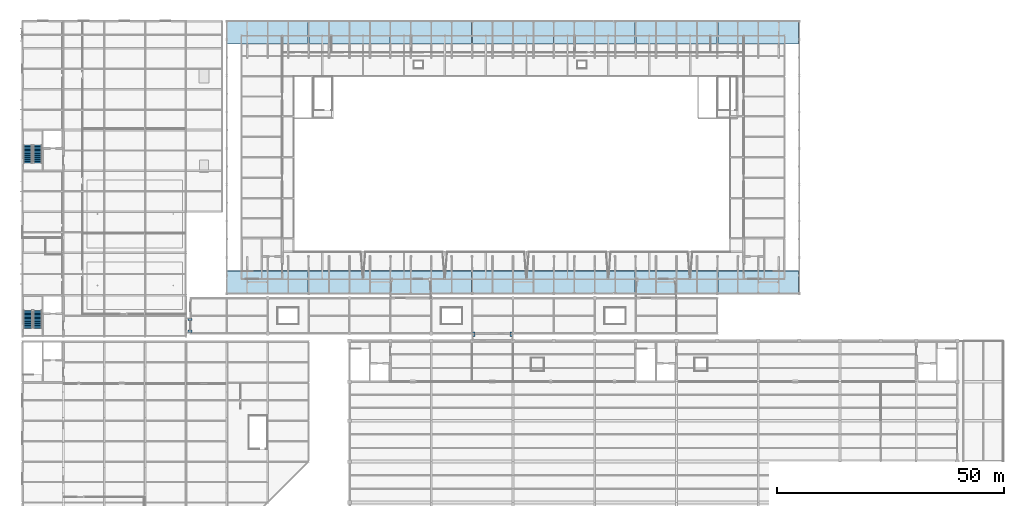
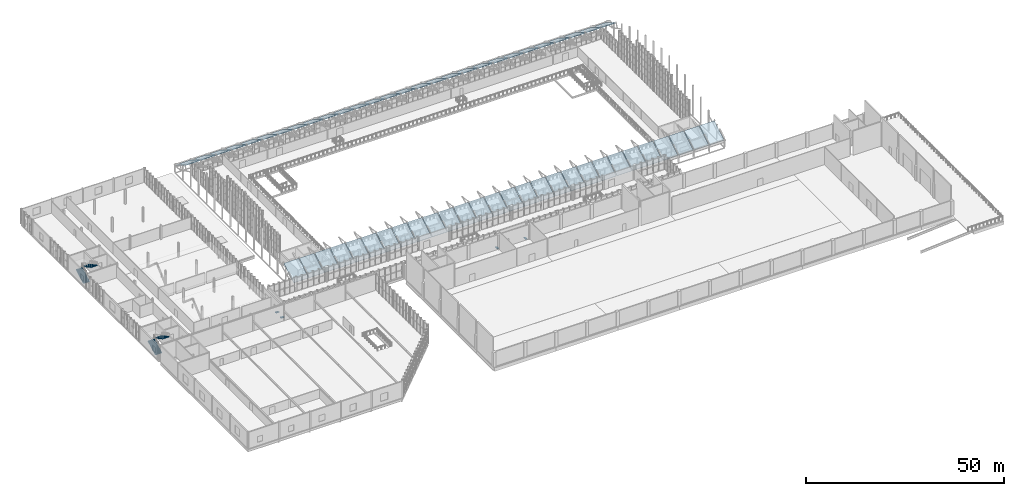
# One storey, part 118 of 134: 56 roofs, 4 discrete accessories, 4 stair flights, 2 elements without a shape of their own.
"""IFC4 building model written with IfcOpenShell, lengths in metres."""

from ifc_helpers import new_model, si_unit, direction, frame, origin, origin_2d, place, context, subcontext, project, spatial, polyline, rectangle, outline, extrude, material, type_object, element, aggregate, save


model = new_model("IFC4")

# Units and contexts
model_context = context("Model", 3, precision=1e-05, world=origin(), true_north=direction((0.0, 1.0)))
body_context = subcontext(model_context, "Body", "Model", "MODEL_VIEW")
ifc_project = project(units=[si_unit("LENGTHUNIT", "METRE"), si_unit("AREAUNIT", "SQUARE_METRE"), si_unit("VOLUMEUNIT", "CUBIC_METRE"), si_unit("PLANEANGLEUNIT", "RADIAN"), si_unit("MASSUNIT", "GRAM", prefix="KILO")], contexts=[model_context])

# Site, building, storey
site_placement = place(None, origin())
site = spatial("IfcSite", under=ifc_project, at=site_placement, CompositionType="ELEMENT")
building_placement = place(site_placement, origin())
building = spatial("IfcBuilding", under=site, at=building_placement, Name="Cazmaro Siding Exhibition Halls", CompositionType="ELEMENT")
storey_placement = place(building_placement, frame((0.0, 0.0, 12.0)))
storey = spatial("IfcBuildingStorey", under=building, at=storey_placement, Name="L02", CompositionType="ELEMENT", Elevation=12.0)

# Stair, stair flights
ifc_material_1 = material(Name="Concrete f'c 40 MPa", Category="concrete")
stair_type_1 = type_object("IfcStairType", Name="STT-15", PredefinedType="TWO_STRAIGHT_RUN_STAIR", material=ifc_material_1)
stair_1_placement = place(storey_placement, origin())
stair_1 = element("IfcStair", 1, at=stair_1_placement, inside=storey, type_object=stair_type_1, Name="Core C7 Exit Stair L02-L03 ST-15", PredefinedType="TWO_STRAIGHT_RUN_STAIR")
ifc_material_2 = material(Name="Concrete f'c 40 MPa", Category="concrete")
stair_flight_type_1 = type_object("IfcStairFlightType", Name="STF-15", PredefinedType="STRAIGHT", material=ifc_material_2)
stair_flight_1_placement = place(storey_placement, frame((1.205078125, 56.360107421875, 0.0), z_axis=(0.0, 0.0, 1.0), x_axis=(0.0, 1.0, 0.0)))
stair_flight_1 = element("IfcStairFlight", 2, at=stair_flight_1_placement, type_object=stair_flight_type_1, Name="ST-15 flight 1", NumberOfRisers=14, NumberOfTreads=13, PredefinedType="STRAIGHT", RiserHeight=0.16071, TreadLength=0.3, context=body_context, shape_type="SweptSolid", body=[
    extrude(outline(polyline([(0.0, 0.0), (0.0, 0.16064453125), (0.300048828125, 0.16064453125), (0.300048828125, 0.321533203125), (0.60009765625, 0.321533203125), (0.60009765625, 0.482177734375), (0.89990234375, 0.482177734375), (0.89990234375, 0.642822265625), (1.199951171875, 0.642822265625), (1.199951171875, 0.803466796875), (1.5, 0.803466796875), (1.5, 0.96435546875), (1.800048828125, 0.96435546875), (1.800048828125, 1.125), (2.10009765625, 1.125), (2.10009765625, 1.28564453125), (2.39990234375, 1.28564453125), (2.39990234375, 1.4462890625), (2.699951171875, 1.4462890625), (2.699951171875, 1.607177734375), (3.0, 1.607177734375), (3.0, 1.767822265625), (3.300048828125, 1.767822265625), (3.300048828125, 1.928466796875), (3.60009765625, 1.928466796875), (3.60009765625, 2.089111328125), (3.89990234375, 2.089111328125), (3.89990234375, 2.25), (3.89990234375, 1.90771484375), (0.338623046875, 0.0), (0.0, 0.0)])), frame((0.0, 0.97998046875, 0.0), z_axis=(0.0, -1.0, 0.0), x_axis=(1.0, 0.0, 0.0)), (0.0, 0.0, 1.0), 1.9599609375),
])
stair_flight_2_placement = place(storey_placement, frame((3.35009765625, 60.260009765625, 2.25), z_axis=(0.0, 0.0, 1.0), x_axis=(0.0, -1.0, 0.0)))
stair_flight_2 = element("IfcStairFlight", 3, at=stair_flight_2_placement, type_object=stair_flight_type_1, Name="ST-15 flight 2", NumberOfRisers=14, NumberOfTreads=13, PredefinedType="STRAIGHT", RiserHeight=0.16071, TreadLength=0.3, context=body_context, shape_type="SweptSolid", body=[
    extrude(outline(polyline([(0.0, 0.0), (0.0, 0.16064453125), (0.300048828125, 0.16064453125), (0.300048828125, 0.321533203125), (0.60009765625, 0.321533203125), (0.60009765625, 0.482177734375), (0.89990234375, 0.482177734375), (0.89990234375, 0.642822265625), (1.199951171875, 0.642822265625), (1.199951171875, 0.803466796875), (1.5, 0.803466796875), (1.5, 0.96435546875), (1.800048828125, 0.96435546875), (1.800048828125, 1.125), (2.10009765625, 1.125), (2.10009765625, 1.28564453125), (2.39990234375, 1.28564453125), (2.39990234375, 1.4462890625), (2.699951171875, 1.4462890625), (2.699951171875, 1.607177734375), (3.0, 1.607177734375), (3.0, 1.767822265625), (3.300048828125, 1.767822265625), (3.300048828125, 1.928466796875), (3.60009765625, 1.928466796875), (3.60009765625, 2.089111328125), (3.89990234375, 2.089111328125), (3.89990234375, 2.25), (3.89990234375, 1.90771484375), (0.338623046875, 0.0), (0.0, 0.0)])), frame((0.0, 0.97998046875, 0.0), z_axis=(0.0, -1.0, 0.0), x_axis=(1.0, 0.0, 0.0)), (0.0, 0.0, 1.0), 1.9599609375),
])
aggregate(stair_1, [stair_flight_1, stair_flight_2])

ifc_material_3 = material(Name="Concrete f'c 40 MPa", Category="concrete")
stair_type_2 = type_object("IfcStairType", Name="STT-20", PredefinedType="TWO_STRAIGHT_RUN_STAIR", material=ifc_material_3)
stair_2_placement = place(storey_placement, origin())
stair_2 = element("IfcStair", 4, at=stair_2_placement, inside=storey, type_object=stair_type_2, Name="Core C8 Exit Stair L02-L03 ST-20", PredefinedType="TWO_STRAIGHT_RUN_STAIR")
ifc_material_4 = material(Name="Concrete f'c 40 MPa", Category="concrete")
stair_flight_type_2 = type_object("IfcStairFlightType", Name="STF-20", PredefinedType="STRAIGHT", material=ifc_material_4)
stair_flight_3_placement = place(storey_placement, frame((1.169921875, 92.760009765625, 0.0), z_axis=(0.0, 0.0, 1.0), x_axis=(0.0, 1.0, 0.0)))
stair_flight_3 = element("IfcStairFlight", 5, at=stair_flight_3_placement, type_object=stair_flight_type_2, Name="ST-20 flight 1", NumberOfRisers=14, NumberOfTreads=13, PredefinedType="STRAIGHT", RiserHeight=0.16071, TreadLength=0.3, context=body_context, shape_type="SweptSolid", body=[
    extrude(outline(polyline([(0.0, 0.0), (0.0, 0.16064453125), (0.300048828125, 0.16064453125), (0.300048828125, 0.321533203125), (0.60009765625, 0.321533203125), (0.60009765625, 0.482177734375), (0.89990234375, 0.482177734375), (0.89990234375, 0.642822265625), (1.199951171875, 0.642822265625), (1.199951171875, 0.803466796875), (1.5, 0.803466796875), (1.5, 0.96435546875), (1.800048828125, 0.96435546875), (1.800048828125, 1.125), (2.10009765625, 1.125), (2.10009765625, 1.28564453125), (2.39990234375, 1.28564453125), (2.39990234375, 1.4462890625), (2.699951171875, 1.4462890625), (2.699951171875, 1.607177734375), (3.0, 1.607177734375), (3.0, 1.767822265625), (3.300048828125, 1.767822265625), (3.300048828125, 1.928466796875), (3.60009765625, 1.928466796875), (3.60009765625, 2.089111328125), (3.89990234375, 2.089111328125), (3.89990234375, 2.25), (3.89990234375, 1.90771484375), (0.338623046875, 0.0), (0.0, 0.0)])), frame((0.0, 0.94482421875, 0.0), z_axis=(0.0, -1.0, 0.0), x_axis=(1.0, 0.0, 0.0)), (0.0, 0.0, 1.0), 1.889892578125),
])
stair_flight_4_placement = place(storey_placement, frame((3.385009765625, 96.659912109375, 2.25), z_axis=(0.0, 0.0, 1.0), x_axis=(0.0, -1.0, 0.0)))
stair_flight_4 = element("IfcStairFlight", 6, at=stair_flight_4_placement, type_object=stair_flight_type_2, Name="ST-20 flight 2", NumberOfRisers=14, NumberOfTreads=13, PredefinedType="STRAIGHT", RiserHeight=0.16071, TreadLength=0.3, context=body_context, shape_type="SweptSolid", body=[
    extrude(outline(polyline([(0.0, 0.0), (0.0, 0.16064453125), (0.300048828125, 0.16064453125), (0.300048828125, 0.321533203125), (0.60009765625, 0.321533203125), (0.60009765625, 0.482177734375), (0.89990234375, 0.482177734375), (0.89990234375, 0.642822265625), (1.199951171875, 0.642822265625), (1.199951171875, 0.803466796875), (1.5, 0.803466796875), (1.5, 0.96435546875), (1.800048828125, 0.96435546875), (1.800048828125, 1.125), (2.10009765625, 1.125), (2.10009765625, 1.28564453125), (2.39990234375, 1.28564453125), (2.39990234375, 1.4462890625), (2.699951171875, 1.4462890625), (2.699951171875, 1.607177734375), (3.0, 1.607177734375), (3.0, 1.767822265625), (3.300048828125, 1.767822265625), (3.300048828125, 1.928466796875), (3.60009765625, 1.928466796875), (3.60009765625, 2.089111328125), (3.89990234375, 2.089111328125), (3.89990234375, 2.25), (3.89990234375, 1.90771484375), (0.338623046875, 0.0), (0.0, 0.0)])), frame((0.0, 0.94482421875, 0.0), z_axis=(0.0, -1.0, 0.0), x_axis=(1.0, 0.0, 0.0)), (0.0, 0.0, 1.0), 1.889892578125),
])
aggregate(stair_2, [stair_flight_3, stair_flight_4])

# Roofs
ifc_material_5 = material(Name="Standing Seam Zinc Insulated Roof Assembly", Category="steel")
roof_type = type_object("IfcRoofType", Name="RF-BARREL-01", PredefinedType="BARREL_ROOF", material=ifc_material_5)
for number, where, z_axis, x_axis, name in (
    (7, (45.0849609375, 64.0, 2.06005859375), (0.0, -0.514618885899, 0.857419035406), (1.0, 0.0, 0.0), "Primary Hall Standing Seam Zinc Roof Cassette RF-V1 001"),
    (8, (45.0849609375, 119.0, 5.06103515625), (0.0, 0.514618885899, 0.857419035406), (1.0, 0.0, 0.0), "Primary Hall Standing Seam Zinc Roof Cassette RF-V1 012"),
    (9, (49.5849609375, 64.0, 2.06005859375), (0.0, -0.514618885899, 0.857419035406), (1.0, 0.0, 0.0), "Primary Hall Standing Seam Zinc Roof Cassette RF-V1 013"),
    (10, (49.5849609375, 119.0, 5.06103515625), (0.0, 0.514618885899, 0.857419035406), (1.0, 0.0, 0.0), "Primary Hall Standing Seam Zinc Roof Cassette RF-V1 024"),
    (11, (54.0849609375, 64.0, 2.06005859375), (0.0, -0.514618885899, 0.857419035406), (1.0, 0.0, 0.0), "Primary Hall Standing Seam Zinc Roof Cassette RF-V1 025"),
    (12, (54.0849609375, 119.0, 5.06103515625), (0.0, 0.514618885899, 0.857419035406), (1.0, 0.0, 0.0), "Primary Hall Standing Seam Zinc Roof Cassette RF-V1 036"),
    (13, (58.5849609375, 64.0, 2.06005859375), (0.0, -0.514618885899, 0.857419035406), (1.0, 0.0, 0.0), "Primary Hall Standing Seam Zinc Roof Cassette RF-V1 037"),
    (14, (58.5849609375, 119.0, 5.06103515625), (0.0, 0.514618885899, 0.857419035406), (1.0, 0.0, 0.0), "Primary Hall Standing Seam Zinc Roof Cassette RF-V1 048"),
    (15, (63.0849609375, 64.0, 2.06005859375), (0.0, -0.514618885899, 0.857419035406), (1.0, 0.0, 0.0), "Primary Hall Standing Seam Zinc Roof Cassette RF-V1 049"),
    (16, (63.0849609375, 119.0, 5.06103515625), (0.0, 0.514618885899, 0.857419035406), (1.0, 0.0, 0.0), "Primary Hall Standing Seam Zinc Roof Cassette RF-V1 060"),
    (17, (67.5849609375, 64.0, 2.06005859375), (0.0, -0.514618885899, 0.857419035406), (1.0, 0.0, 0.0), "Primary Hall Standing Seam Zinc Roof Cassette RF-V1 061"),
    (18, (67.5849609375, 119.0, 5.06103515625), (0.0, 0.514618885899, 0.857419035406), (1.0, 0.0, 0.0), "Primary Hall Standing Seam Zinc Roof Cassette RF-V1 072"),
    (19, (72.0849609375, 64.0, 2.06005859375), (0.0, -0.514618885899, 0.857419035406), (1.0, 0.0, 0.0), "Primary Hall Standing Seam Zinc Roof Cassette RF-V1 073"),
    (20, (72.0849609375, 119.0, 5.06103515625), (0.0, 0.514618885899, 0.857419035406), (1.0, 0.0, 0.0), "Primary Hall Standing Seam Zinc Roof Cassette RF-V1 084"),
    (21, (76.5849609375, 64.0, 2.06005859375), (0.0, -0.514618885899, 0.857419035406), (1.0, 0.0, 0.0), "Primary Hall Standing Seam Zinc Roof Cassette RF-V1 085"),
    (22, (76.5849609375, 119.0, 5.06103515625), (0.0, 0.514618885899, 0.857419035406), (1.0, 0.0, 0.0), "Primary Hall Standing Seam Zinc Roof Cassette RF-V1 096"),
    (23, (81.0849609375, 64.0, 2.06005859375), (0.0, -0.514618885899, 0.857419035406), (1.0, 0.0, 0.0), "Primary Hall Standing Seam Zinc Roof Cassette RF-V1 097"),
    (24, (81.0849609375, 119.0, 5.06103515625), (0.0, 0.514618885899, 0.857419035406), (1.0, 0.0, 0.0), "Primary Hall Standing Seam Zinc Roof Cassette RF-V1 108"),
    (25, (85.5849609375, 64.0, 2.06005859375), (0.0, -0.514618885899, 0.857419035406), (1.0, 0.0, 0.0), "Primary Hall Standing Seam Zinc Roof Cassette RF-V1 109"),
    (26, (85.5849609375, 119.0, 5.06103515625), (0.0, 0.514618885899, 0.857419035406), (1.0, 0.0, 0.0), "Primary Hall Standing Seam Zinc Roof Cassette RF-V1 120"),
    (27, (90.0849609375, 64.0, 2.06005859375), (0.0, -0.514618885899, 0.857419035406), (1.0, 0.0, 0.0), "Primary Hall Standing Seam Zinc Roof Cassette RF-V1 121"),
    (28, (90.0849609375, 119.0, 5.06103515625), (0.0, 0.514618885899, 0.857419035406), (1.0, 0.0, 0.0), "Primary Hall Standing Seam Zinc Roof Cassette RF-V1 132"),
    (29, (94.5849609375, 64.0, 2.06005859375), (0.0, -0.514618885899, 0.857419035406), (1.0, 0.0, 0.0), "Primary Hall Standing Seam Zinc Roof Cassette RF-V1 133"),
    (30, (94.5849609375, 119.0, 5.06103515625), (0.0, 0.514618885899, 0.857419035406), (1.0, 0.0, 0.0), "Primary Hall Standing Seam Zinc Roof Cassette RF-V1 144"),
    (31, (99.0849609375, 64.0, 2.06005859375), (0.0, -0.514618885899, 0.857419035406), (1.0, 0.0, 0.0), "Primary Hall Standing Seam Zinc Roof Cassette RF-V1 145"),
    (32, (99.0849609375, 119.0, 5.06103515625), (0.0, 0.514618885899, 0.857419035406), (1.0, 0.0, 0.0), "Primary Hall Standing Seam Zinc Roof Cassette RF-V1 156"),
    (33, (103.5849609375, 64.0, 2.06005859375), (0.0, -0.514618885899, 0.857419035406), (1.0, 0.0, 0.0), "Primary Hall Standing Seam Zinc Roof Cassette RF-V1 157"),
    (34, (103.5849609375, 119.0, 5.06103515625), (0.0, 0.514618885899, 0.857419035406), (1.0, 0.0, 0.0), "Primary Hall Standing Seam Zinc Roof Cassette RF-V1 168"),
    (35, (108.0849609375, 64.0, 2.06005859375), (0.0, -0.514618885899, 0.857419035406), (1.0, 0.0, 0.0), "Primary Hall Standing Seam Zinc Roof Cassette RF-V1 169"),
    (36, (108.0849609375, 119.0, 5.06103515625), (0.0, 0.514618885899, 0.857419035406), (1.0, 0.0, 0.0), "Primary Hall Standing Seam Zinc Roof Cassette RF-V1 180"),
    (37, (112.5849609375, 64.0, 2.06005859375), (0.0, -0.514618885899, 0.857419035406), (1.0, 0.0, 0.0), "Primary Hall Standing Seam Zinc Roof Cassette RF-V1 181"),
    (38, (112.5849609375, 119.0, 5.06103515625), (0.0, 0.514618885899, 0.857419035406), (1.0, 0.0, 0.0), "Primary Hall Standing Seam Zinc Roof Cassette RF-V1 192"),
    (39, (117.0849609375, 64.0, 2.06005859375), (0.0, -0.514618885899, 0.857419035406), (1.0, 0.0, 0.0), "Primary Hall Standing Seam Zinc Roof Cassette RF-V1 193"),
    (40, (117.0849609375, 119.0, 5.06103515625), (0.0, 0.514618885899, 0.857419035406), (1.0, 0.0, 0.0), "Primary Hall Standing Seam Zinc Roof Cassette RF-V1 204"),
    (41, (121.5849609375, 64.0, 2.06005859375), (0.0, -0.514618885899, 0.857419035406), (1.0, 0.0, 0.0), "Primary Hall Standing Seam Zinc Roof Cassette RF-V1 205"),
    (42, (121.5849609375, 119.0, 5.06103515625), (0.0, 0.514618885899, 0.857419035406), (1.0, 0.0, 0.0), "Primary Hall Standing Seam Zinc Roof Cassette RF-V1 216"),
    (43, (126.0849609375, 64.0, 2.06005859375), (0.0, -0.514618885899, 0.857419035406), (1.0, 0.0, 0.0), "Primary Hall Standing Seam Zinc Roof Cassette RF-V1 217"),
    (44, (126.0849609375, 119.0, 5.06103515625), (0.0, 0.514618885899, 0.857419035406), (1.0, 0.0, 0.0), "Primary Hall Standing Seam Zinc Roof Cassette RF-V1 228"),
    (45, (130.5849609375, 64.0, 2.06005859375), (0.0, -0.514618885899, 0.857419035406), (1.0, 0.0, 0.0), "Primary Hall Standing Seam Zinc Roof Cassette RF-V1 229"),
    (46, (130.5849609375, 119.0, 5.06103515625), (0.0, 0.514618885899, 0.857419035406), (1.0, 0.0, 0.0), "Primary Hall Standing Seam Zinc Roof Cassette RF-V1 240"),
    (47, (135.0849609375, 64.0, 2.06005859375), (0.0, -0.514618885899, 0.857419035406), (1.0, 0.0, 0.0), "Primary Hall Standing Seam Zinc Roof Cassette RF-V1 241"),
    (48, (135.0849609375, 119.0, 5.06103515625), (0.0, 0.514618885899, 0.857419035406), (1.0, 0.0, 0.0), "Primary Hall Standing Seam Zinc Roof Cassette RF-V1 252"),
    (49, (139.5849609375, 64.0, 2.06005859375), (0.0, -0.514618885899, 0.857419035406), (1.0, 0.0, 0.0), "Primary Hall Standing Seam Zinc Roof Cassette RF-V1 253"),
    (50, (139.5849609375, 119.0, 5.06103515625), (0.0, 0.514618885899, 0.857419035406), (1.0, 0.0, 0.0), "Primary Hall Standing Seam Zinc Roof Cassette RF-V1 264"),
    (51, (144.0849609375, 64.0, 2.06005859375), (0.0, -0.514618885899, 0.857419035406), (1.0, 0.0, 0.0), "Primary Hall Standing Seam Zinc Roof Cassette RF-V1 265"),
    (52, (144.0849609375, 119.0, 5.06103515625), (0.0, 0.514618885899, 0.857419035406), (1.0, 0.0, 0.0), "Primary Hall Standing Seam Zinc Roof Cassette RF-V1 276"),
    (53, (148.5849609375, 64.0, 2.06005859375), (0.0, -0.514618885899, 0.857419035406), (1.0, 0.0, 0.0), "Primary Hall Standing Seam Zinc Roof Cassette RF-V1 277"),
    (54, (148.5849609375, 119.0, 5.06103515625), (0.0, 0.514618885899, 0.857419035406), (1.0, 0.0, 0.0), "Primary Hall Standing Seam Zinc Roof Cassette RF-V1 288"),
    (55, (153.0849609375, 64.0, 2.06005859375), (0.0, -0.514618885899, 0.857419035406), (1.0, 0.0, 0.0), "Primary Hall Standing Seam Zinc Roof Cassette RF-V1 289"),
    (56, (153.0849609375, 119.0, 5.06103515625), (0.0, 0.514618885899, 0.857419035406), (1.0, 0.0, 0.0), "Primary Hall Standing Seam Zinc Roof Cassette RF-V1 300"),
    (57, (157.5849609375, 64.0, 2.06005859375), (0.0, -0.514618885899, 0.857419035406), (1.0, 0.0, 0.0), "Primary Hall Standing Seam Zinc Roof Cassette RF-V1 301"),
    (58, (157.5849609375, 119.0, 5.06103515625), (0.0, 0.514618885899, 0.857419035406), (1.0, 0.0, 0.0), "Primary Hall Standing Seam Zinc Roof Cassette RF-V1 312"),
    (59, (162.0849609375, 64.0, 2.06005859375), (0.0, -0.514618885899, 0.857419035406), (1.0, 0.0, 0.0), "Primary Hall Standing Seam Zinc Roof Cassette RF-V1 313"),
    (60, (162.0849609375, 119.0, 5.06103515625), (0.0, 0.514618885899, 0.857419035406), (1.0, 0.0, 0.0), "Primary Hall Standing Seam Zinc Roof Cassette RF-V1 324"),
    (61, (166.5849609375, 64.0, 2.06005859375), (0.0, -0.514618885899, 0.857419035406), (1.0, 0.0, 0.0), "Primary Hall Standing Seam Zinc Roof Cassette RF-V1 325"),
    (62, (166.5849609375, 119.0, 5.06103515625), (0.0, 0.514618885899, 0.857419035406), (1.0, 0.0, 0.0), "Primary Hall Standing Seam Zinc Roof Cassette RF-V1 336"),
):
    element("IfcRoof", number, at=place(storey_placement, frame(where, z_axis=z_axis, x_axis=x_axis)), inside=storey, type_object=roof_type, Name=name, PredefinedType="BARREL_ROOF", context=body_context, shape_type="SweptSolid", body=[
        extrude(outline(polyline([(0.0, 0.0), (4.330078125, 0.0), (4.330078125, 5.83145439223135), (0.0, 5.83145439223135), (0.0, 0.0)])), origin(), (0.0, 0.0, -1.0), 0.159912109375),
    ])

# Discrete accessories
ifc_material_6 = material(Name="Steel ASTM A572 Grade 50", Category="steel")
discrete_accessory_type = type_object("IfcDiscreteAccessoryType", Name="SBK-SEAT-01", PredefinedType="BRACKET", material=ifc_material_6)
for number, where, z_axis, x_axis, name in (
    (63, (99.35009765625, 55.050048828125, -0.7509765625), (0.0, 0.0, 1.0), (1.0, 0.0, 0.0), "Bridge Sliding Seat Corbel 900mm SB-03 L02"),
    (64, (107.64990234375, 55.050048828125, -0.7509765625), (0.0, 0.0, 1.0), (1.0, 0.0, 0.0), "Bridge Sliding Seat Corbel 900mm SB-03 L02"),
):
    element("IfcDiscreteAccessory", number, at=place(storey_placement, frame(where, z_axis=z_axis, x_axis=x_axis)), inside=storey, type_object=discrete_accessory_type, Name=name, PredefinedType="BRACKET", context=body_context, shape_type="SweptSolid", body=[
        extrude(rectangle(XDim=0.52001953125, YDim=0.89990234375, at=origin_2d()), origin(), (0.0, 0.0, 1.0), 0.179931640625),
    ])
for number, where, z_axis, x_axis, name in (
    (65, (36.89990234375, 55.699951171875, -0.7509765625), (0.0, 0.0, 1.0), (1.0, 0.0, 0.0), "Bridge Sliding Seat Corbel 900mm SB-04 L02"),
    (66, (36.89990234375, 58.300048828125, -0.7509765625), (0.0, 0.0, 1.0), (1.0, 0.0, 0.0), "Bridge Sliding Seat Corbel 900mm SB-04 L02"),
):
    element("IfcDiscreteAccessory", number, at=place(storey_placement, frame(where, z_axis=z_axis, x_axis=x_axis)), inside=storey, type_object=discrete_accessory_type, Name=name, PredefinedType="BRACKET", context=body_context, shape_type="SweptSolid", body=[
        extrude(rectangle(XDim=0.89990234375, YDim=0.52001953125, at=origin_2d()), origin(), (0.0, 0.0, 1.0), 0.179931640625),
    ])

save(model, "model.ifc")
